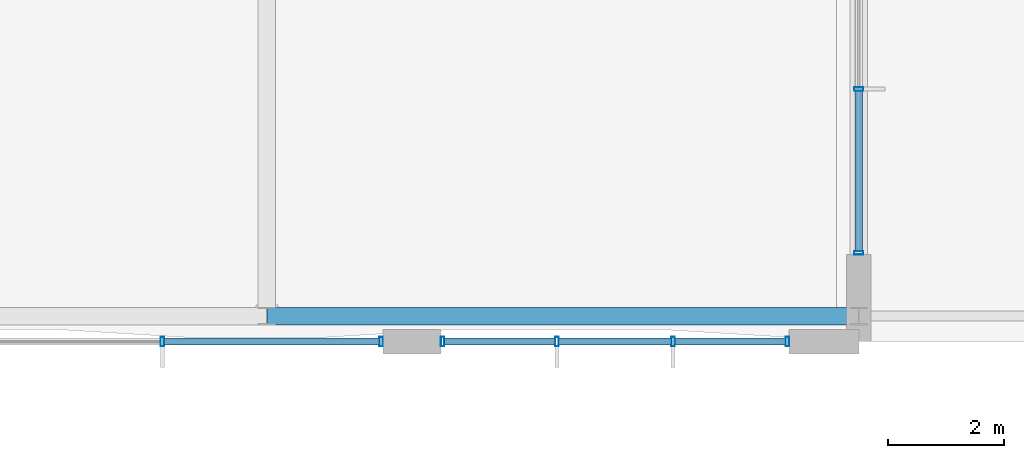
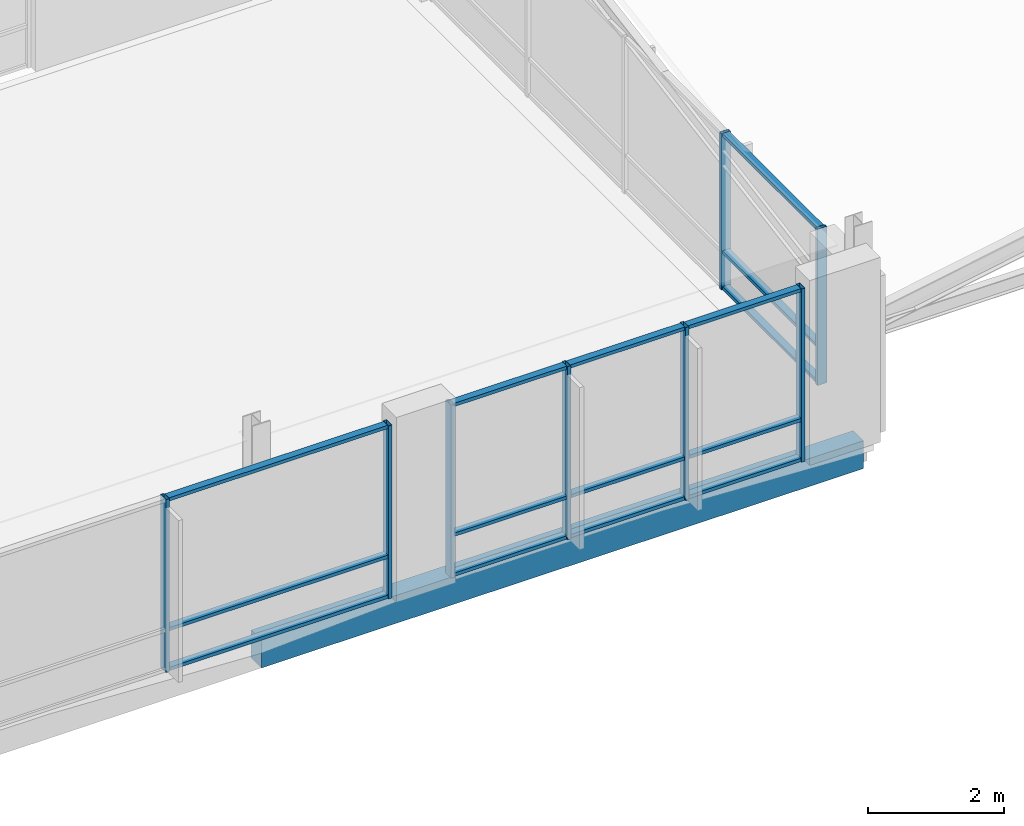
# One storey, part 37 of 189: 23 members, 1 beam, 3 elements without a shape of their own.
"""IFC4 building model written with IfcOpenShell, lengths in metres."""

from ifc_helpers import new_model, si_unit, direction, frame, origin, origin_2d, place, context, subcontext, project, spatial, rectangle, hollow_rectangle, extrude, material, material_profile, profile_set, type_object, element, aggregate, save


model = new_model("IFC4")

# Units and contexts
model_context = context("Model", 3, precision=1e-05, world=origin(), true_north=direction((0.0, 1.0)))
body_context = subcontext(model_context, "Body", "Model", "MODEL_VIEW")
ifc_project = project(units=[si_unit("LENGTHUNIT", "METRE"), si_unit("AREAUNIT", "SQUARE_METRE"), si_unit("VOLUMEUNIT", "CUBIC_METRE"), si_unit("PLANEANGLEUNIT", "RADIAN"), si_unit("MASSUNIT", "GRAM", prefix="KILO")], contexts=[model_context])

# Site, building, storey
site_placement = place(None, origin())
site = spatial("IfcSite", under=ifc_project, at=site_placement, CompositionType="ELEMENT")
building_placement = place(site_placement, origin())
building = spatial("IfcBuilding", under=site, at=building_placement, Name="Zavelmont Quarter", CompositionType="ELEMENT")
storey_placement = place(building_placement, frame((0.0, 0.0, 4.39990234375)))
storey = spatial("IfcBuildingStorey", under=building, at=storey_placement, Name="L01", CompositionType="ELEMENT", Elevation=4.39990234375)

# Beam
ifc_material_1 = material(Name="Concrete C35/45", Category="concrete")
ifc_material_profile_1 = material_profile(ifc_material_1, rectangle(XDim=0.300048828125, YDim=0.5, at=origin_2d()), Name="RC300X500")
ifc_profile_set_1 = profile_set([ifc_material_profile_1], Name="Concrete C35/45")
beam_type = type_object("IfcBeamType", Name="BM03", PredefinedType="BEAM", material=ifc_profile_set_1)
beam_placement = place(storey_placement, frame((65.800048828125, 0.43994140625, -0.52978515625), z_axis=(1.0, 0.0, 0.0), x_axis=(0.0, 1.0, 0.0)))
element("IfcBeam", 1, at=beam_placement, inside=storey, type_object=beam_type, Name="L01 beam BM03 10/A to 12/A", PredefinedType="BEAM", context=body_context, shape_type="SweptSolid", body=[
    extrude(rectangle(XDim=0.300048828125, YDim=0.5, at=origin_2d()), origin(), (0.0, 0.0, 1.0), 10.199951171875),
])

# Curtain wall, members
ifc_material_2 = material(Name="Thermally broken aluminium and double low-E safety glazing", Category="aluminium")
curtain_wall_type_1 = type_object("IfcCurtainWallType", Name="CW-1140X310", PredefinedType="NOTDEFINED", material=ifc_material_2)
curtain_wall_1_placement = place(storey_placement, origin())
curtain_wall_1 = element("IfcCurtainWall", 2, at=curtain_wall_1_placement, inside=storey, type_object=curtain_wall_type_1, Name="L01 unitised curtain wall CW-1140X310", PredefinedType="NOTDEFINED")
ifc_material_3 = material(Name="Powder-coated aluminium EN AW-6063-T6", Category="aluminium")
ifc_material_profile_2 = material_profile(ifc_material_3, hollow_rectangle(XDim=0.06005859375, YDim=0.159912109375, WallThickness=0.00390625, at=origin_2d()), Name="CWM60X160")
ifc_profile_set_2 = profile_set([ifc_material_profile_2], Name="Powder-coated aluminium EN AW-6063-T6")
member_type_1 = type_object("IfcMemberType", Name="CWM01", PredefinedType="MULLION", material=ifc_profile_set_2)
member_1_placement = place(storey_placement, frame((64.0, 0.0, 0.0), z_axis=(0.0, 0.0, 1.0), x_axis=(1.0, 0.0, 0.0)))
member_1 = element("IfcMember", 3, at=member_1_placement, type_object=member_type_1, Name="CW-1140X310 mullion 3", PredefinedType="MULLION", context=body_context, shape_type="SweptSolid", body=[
    extrude(hollow_rectangle(XDim=0.06005859375, YDim=0.159912109375, WallThickness=0.00390625, at=origin_2d()), origin(), (0.0, 0.0, 1.0), 3.10009765625),
])
member_2_placement = place(storey_placement, frame((67.77001953125, 0.0, 0.0), z_axis=(0.0, 0.0, 1.0), x_axis=(1.0, 0.0, 0.0)))
member_2 = element("IfcMember", 4, at=member_2_placement, type_object=member_type_1, Name="CW-1140X310 mullion 4", PredefinedType="MULLION", context=body_context, shape_type="SweptSolid", body=[
    extrude(hollow_rectangle(XDim=0.06005859375, YDim=0.159912109375, WallThickness=0.00390625, at=origin_2d()), origin(), (0.0, 0.0, 1.0), 3.10009765625),
])

curtain_wall_type_2 = type_object("IfcCurtainWallType", Name="CW-600X310", PredefinedType="NOTDEFINED", material=ifc_material_2)
curtain_wall_2_placement = place(storey_placement, origin())
curtain_wall_2 = element("IfcCurtainWall", 5, at=curtain_wall_2_placement, inside=storey, type_object=curtain_wall_type_2, Name="L01 unitised curtain wall CW-600X310", PredefinedType="NOTDEFINED")
member_3_placement = place(storey_placement, frame((68.830078125, 0.0, 0.0), z_axis=(0.0, 0.0, 1.0), x_axis=(1.0, 0.0, 0.0)))
member_3 = element("IfcMember", 6, at=member_3_placement, type_object=member_type_1, Name="CW-600X310 mullion 1", PredefinedType="MULLION", context=body_context, shape_type="SweptSolid", body=[
    extrude(hollow_rectangle(XDim=0.06005859375, YDim=0.159912109375, WallThickness=0.00390625, at=origin_2d()), origin(), (0.0, 0.0, 1.0), 3.10009765625),
])
member_4_placement = place(storey_placement, frame((70.800048828125, 0.0, 0.0), z_axis=(0.0, 0.0, 1.0), x_axis=(1.0, 0.0, 0.0)))
member_4 = element("IfcMember", 7, at=member_4_placement, type_object=member_type_1, Name="CW-600X310 mullion 2", PredefinedType="MULLION", context=body_context, shape_type="SweptSolid", body=[
    extrude(hollow_rectangle(XDim=0.06005859375, YDim=0.159912109375, WallThickness=0.00390625, at=origin_2d()), origin(), (0.0, 0.0, 1.0), 3.10009765625),
])
member_5_placement = place(storey_placement, frame((72.800048828125, 0.0, 0.0), z_axis=(0.0, 0.0, 1.0), x_axis=(1.0, 0.0, 0.0)))
member_5 = element("IfcMember", 8, at=member_5_placement, type_object=member_type_1, Name="CW-600X310 mullion 3", PredefinedType="MULLION", context=body_context, shape_type="SweptSolid", body=[
    extrude(hollow_rectangle(XDim=0.06005859375, YDim=0.159912109375, WallThickness=0.00390625, at=origin_2d()), origin(), (0.0, 0.0, 1.0), 3.10009765625),
])
member_6_placement = place(storey_placement, frame((74.77001953125, 0.0, 0.0), z_axis=(0.0, 0.0, 1.0), x_axis=(1.0, 0.0, 0.0)))
member_6 = element("IfcMember", 9, at=member_6_placement, type_object=member_type_1, Name="CW-600X310 mullion 4", PredefinedType="MULLION", context=body_context, shape_type="SweptSolid", body=[
    extrude(hollow_rectangle(XDim=0.06005859375, YDim=0.159912109375, WallThickness=0.00390625, at=origin_2d()), origin(), (0.0, 0.0, 1.0), 3.10009765625),
])

curtain_wall_type_3 = type_object("IfcCurtainWallType", Name="CW-1140X280", PredefinedType="NOTDEFINED", material=ifc_material_2)
curtain_wall_3_placement = place(storey_placement, origin())
curtain_wall_3 = element("IfcCurtainWall", 10, at=curtain_wall_3_placement, inside=storey, type_object=curtain_wall_type_3, Name="L01 unitised curtain wall CW-1140X280", PredefinedType="NOTDEFINED")
member_7_placement = place(storey_placement, frame((76.0, 1.530029296875, 0.0), z_axis=(0.0, 0.0, 1.0), x_axis=(0.0, 1.0, 0.0)))
member_7 = element("IfcMember", 11, at=member_7_placement, type_object=member_type_1, Name="CW-1140X280 mullion 1", PredefinedType="MULLION", context=body_context, shape_type="SweptSolid", body=[
    extrude(hollow_rectangle(XDim=0.06005859375, YDim=0.159912109375, WallThickness=0.00390625, at=origin_2d()), origin(), (0.0, 0.0, 1.0), 2.800048828125),
])
member_8_placement = place(storey_placement, frame((76.0, 4.35009765625, 0.0), z_axis=(0.0, 0.0, 1.0), x_axis=(0.0, 1.0, 0.0)))
member_8 = element("IfcMember", 12, at=member_8_placement, type_object=member_type_1, Name="CW-1140X280 mullion 2", PredefinedType="MULLION", context=body_context, shape_type="SweptSolid", body=[
    extrude(hollow_rectangle(XDim=0.06005859375, YDim=0.159912109375, WallThickness=0.00390625, at=origin_2d()), origin(), (0.0, 0.0, 1.0), 2.800048828125),
])

# Member
ifc_material_profile_3 = material_profile(ifc_material_3, hollow_rectangle(XDim=0.1201171875, YDim=0.06005859375, WallThickness=0.00390625, at=origin_2d()), Name="CWT60X120")
ifc_profile_set_3 = profile_set([ifc_material_profile_3], Name="Powder-coated aluminium EN AW-6063-T6")
member_type_2 = type_object("IfcMemberType", Name="CWT01", PredefinedType="NOTDEFINED", material=ifc_profile_set_3)
member_9_placement = place(storey_placement, frame((64.030029296875, 0.0, 0.030029296875), z_axis=(1.0, 0.0, 0.0), x_axis=(0.0, 1.0, 0.0)))
member_9 = element("IfcMember", 13, at=member_9_placement, type_object=member_type_2, Name="CW-1140X310 transom 3.1", ObjectType="TRANSOM", PredefinedType="USERDEFINED", context=body_context, shape_type="SweptSolid", body=[
    extrude(hollow_rectangle(XDim=0.1201171875, YDim=0.06005859375, WallThickness=0.00390625, at=origin_2d()), origin(), (0.0, 0.0, 1.0), 3.7099609375),
])

member_10_placement = place(storey_placement, frame((64.030029296875, 0.0, 0.744140625), z_axis=(1.0, 0.0, 0.0), x_axis=(0.0, 1.0, 0.0)))
member_10 = element("IfcMember", 14, at=member_10_placement, type_object=member_type_2, Name="CW-1140X310 transom 3.2", ObjectType="TRANSOM", PredefinedType="USERDEFINED", context=body_context, shape_type="SweptSolid", body=[
    extrude(hollow_rectangle(XDim=0.1201171875, YDim=0.06005859375, WallThickness=0.00390625, at=origin_2d()), origin(), (0.0, 0.0, 1.0), 3.7099609375),
])

member_11_placement = place(storey_placement, frame((64.030029296875, 0.0, 3.070068359375), z_axis=(1.0, 0.0, 0.0), x_axis=(0.0, 1.0, 0.0)))
member_11 = element("IfcMember", 15, at=member_11_placement, type_object=member_type_2, Name="CW-1140X310 transom 3.3", ObjectType="TRANSOM", PredefinedType="USERDEFINED", context=body_context, shape_type="SweptSolid", body=[
    extrude(hollow_rectangle(XDim=0.1201171875, YDim=0.06005859375, WallThickness=0.00390625, at=origin_2d()), origin(), (0.0, 0.0, 1.0), 3.7099609375),
])

aggregate(curtain_wall_1, [member_1, member_2, member_9, member_10, member_11])

member_12_placement = place(storey_placement, frame((68.860107421875, 0.0, 0.030029296875), z_axis=(1.0, 0.0, 0.0), x_axis=(0.0, 1.0, 0.0)))
member_12 = element("IfcMember", 16, at=member_12_placement, type_object=member_type_2, Name="CW-600X310 transom 1.1", ObjectType="TRANSOM", PredefinedType="USERDEFINED", context=body_context, shape_type="SweptSolid", body=[
    extrude(hollow_rectangle(XDim=0.1201171875, YDim=0.06005859375, WallThickness=0.00390625, at=origin_2d()), origin(), (0.0, 0.0, 1.0), 1.909912109375),
])

member_13_placement = place(storey_placement, frame((68.860107421875, 0.0, 0.744140625), z_axis=(1.0, 0.0, 0.0), x_axis=(0.0, 1.0, 0.0)))
member_13 = element("IfcMember", 17, at=member_13_placement, type_object=member_type_2, Name="CW-600X310 transom 1.2", ObjectType="TRANSOM", PredefinedType="USERDEFINED", context=body_context, shape_type="SweptSolid", body=[
    extrude(hollow_rectangle(XDim=0.1201171875, YDim=0.06005859375, WallThickness=0.00390625, at=origin_2d()), origin(), (0.0, 0.0, 1.0), 1.909912109375),
])

member_14_placement = place(storey_placement, frame((68.860107421875, 0.0, 3.070068359375), z_axis=(1.0, 0.0, 0.0), x_axis=(0.0, 1.0, 0.0)))
member_14 = element("IfcMember", 18, at=member_14_placement, type_object=member_type_2, Name="CW-600X310 transom 1.3", ObjectType="TRANSOM", PredefinedType="USERDEFINED", context=body_context, shape_type="SweptSolid", body=[
    extrude(hollow_rectangle(XDim=0.1201171875, YDim=0.06005859375, WallThickness=0.00390625, at=origin_2d()), origin(), (0.0, 0.0, 1.0), 1.909912109375),
])

member_15_placement = place(storey_placement, frame((70.830078125, 0.0, 0.030029296875), z_axis=(1.0, 0.0, 0.0), x_axis=(0.0, 1.0, 0.0)))
member_15 = element("IfcMember", 19, at=member_15_placement, type_object=member_type_2, Name="CW-600X310 transom 2.1", ObjectType="TRANSOM", PredefinedType="USERDEFINED", context=body_context, shape_type="SweptSolid", body=[
    extrude(hollow_rectangle(XDim=0.1201171875, YDim=0.06005859375, WallThickness=0.00390625, at=origin_2d()), origin(), (0.0, 0.0, 1.0), 1.93994140625),
])

member_16_placement = place(storey_placement, frame((70.830078125, 0.0, 0.744140625), z_axis=(1.0, 0.0, 0.0), x_axis=(0.0, 1.0, 0.0)))
member_16 = element("IfcMember", 20, at=member_16_placement, type_object=member_type_2, Name="CW-600X310 transom 2.2", ObjectType="TRANSOM", PredefinedType="USERDEFINED", context=body_context, shape_type="SweptSolid", body=[
    extrude(hollow_rectangle(XDim=0.1201171875, YDim=0.06005859375, WallThickness=0.00390625, at=origin_2d()), origin(), (0.0, 0.0, 1.0), 1.93994140625),
])

member_17_placement = place(storey_placement, frame((70.830078125, 0.0, 3.070068359375), z_axis=(1.0, 0.0, 0.0), x_axis=(0.0, 1.0, 0.0)))
member_17 = element("IfcMember", 21, at=member_17_placement, type_object=member_type_2, Name="CW-600X310 transom 2.3", ObjectType="TRANSOM", PredefinedType="USERDEFINED", context=body_context, shape_type="SweptSolid", body=[
    extrude(hollow_rectangle(XDim=0.1201171875, YDim=0.06005859375, WallThickness=0.00390625, at=origin_2d()), origin(), (0.0, 0.0, 1.0), 1.93994140625),
])

member_18_placement = place(storey_placement, frame((72.830078125, 0.0, 0.030029296875), z_axis=(1.0, 0.0, 0.0), x_axis=(0.0, 1.0, 0.0)))
member_18 = element("IfcMember", 22, at=member_18_placement, type_object=member_type_2, Name="CW-600X310 transom 3.1", ObjectType="TRANSOM", PredefinedType="USERDEFINED", context=body_context, shape_type="SweptSolid", body=[
    extrude(hollow_rectangle(XDim=0.1201171875, YDim=0.06005859375, WallThickness=0.00390625, at=origin_2d()), origin(), (0.0, 0.0, 1.0), 1.909912109375),
])

member_19_placement = place(storey_placement, frame((72.830078125, 0.0, 0.744140625), z_axis=(1.0, 0.0, 0.0), x_axis=(0.0, 1.0, 0.0)))
member_19 = element("IfcMember", 23, at=member_19_placement, type_object=member_type_2, Name="CW-600X310 transom 3.2", ObjectType="TRANSOM", PredefinedType="USERDEFINED", context=body_context, shape_type="SweptSolid", body=[
    extrude(hollow_rectangle(XDim=0.1201171875, YDim=0.06005859375, WallThickness=0.00390625, at=origin_2d()), origin(), (0.0, 0.0, 1.0), 1.909912109375),
])

member_20_placement = place(storey_placement, frame((72.830078125, 0.0, 3.070068359375), z_axis=(1.0, 0.0, 0.0), x_axis=(0.0, 1.0, 0.0)))
member_20 = element("IfcMember", 24, at=member_20_placement, type_object=member_type_2, Name="CW-600X310 transom 3.3", ObjectType="TRANSOM", PredefinedType="USERDEFINED", context=body_context, shape_type="SweptSolid", body=[
    extrude(hollow_rectangle(XDim=0.1201171875, YDim=0.06005859375, WallThickness=0.00390625, at=origin_2d()), origin(), (0.0, 0.0, 1.0), 1.909912109375),
])

aggregate(curtain_wall_2, [member_3, member_4, member_5, member_6, member_12, member_13, member_14, member_15, member_16, member_17, member_18, member_19, member_20])

member_21_placement = place(storey_placement, frame((76.0, 1.56005859375, 0.030029296875), z_axis=(0.0, 1.0, 0.0), x_axis=(-1.0, 0.0, 0.0)))
member_21 = element("IfcMember", 25, at=member_21_placement, type_object=member_type_2, Name="CW-1140X280 transom 1.1", ObjectType="TRANSOM", PredefinedType="USERDEFINED", context=body_context, shape_type="SweptSolid", body=[
    extrude(hollow_rectangle(XDim=0.1201171875, YDim=0.06005859375, WallThickness=0.00390625, at=origin_2d()), origin(), (0.0, 0.0, 1.0), 2.760009765625),
])

member_22_placement = place(storey_placement, frame((76.0, 1.56005859375, 0.672119140625), z_axis=(0.0, 1.0, 0.0), x_axis=(-1.0, 0.0, 0.0)))
member_22 = element("IfcMember", 26, at=member_22_placement, type_object=member_type_2, Name="CW-1140X280 transom 1.2", ObjectType="TRANSOM", PredefinedType="USERDEFINED", context=body_context, shape_type="SweptSolid", body=[
    extrude(hollow_rectangle(XDim=0.1201171875, YDim=0.06005859375, WallThickness=0.00390625, at=origin_2d()), origin(), (0.0, 0.0, 1.0), 2.760009765625),
])

member_23_placement = place(storey_placement, frame((76.0, 1.56005859375, 2.77001953125), z_axis=(0.0, 1.0, 0.0), x_axis=(-1.0, 0.0, 0.0)))
member_23 = element("IfcMember", 27, at=member_23_placement, type_object=member_type_2, Name="CW-1140X280 transom 1.3", ObjectType="TRANSOM", PredefinedType="USERDEFINED", context=body_context, shape_type="SweptSolid", body=[
    extrude(hollow_rectangle(XDim=0.1201171875, YDim=0.06005859375, WallThickness=0.00390625, at=origin_2d()), origin(), (0.0, 0.0, 1.0), 2.760009765625),
])

aggregate(curtain_wall_3, [member_7, member_8, member_21, member_22, member_23])

save(model, "model.ifc")
